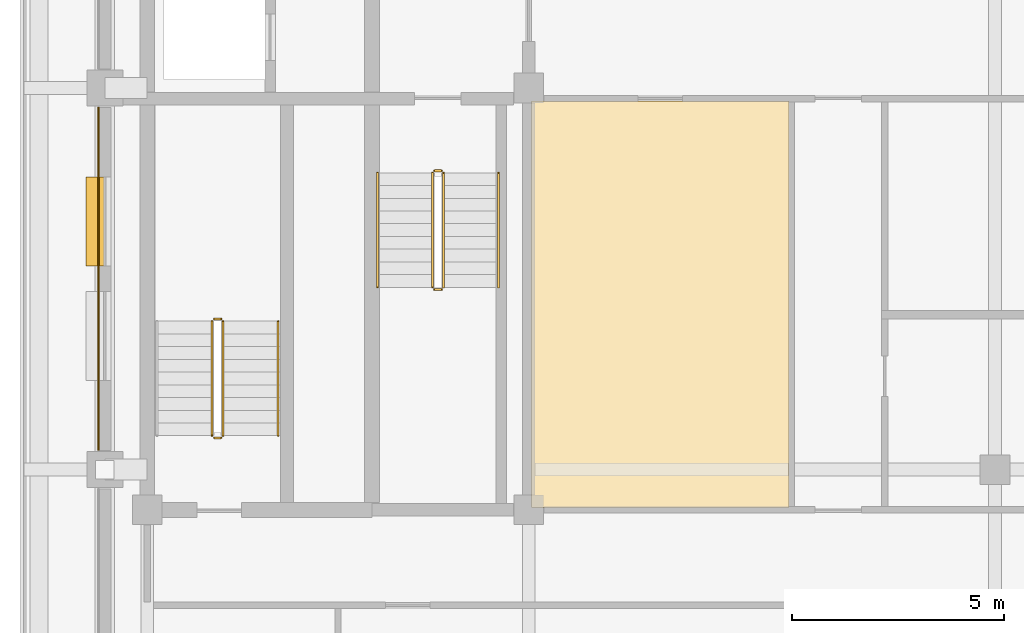
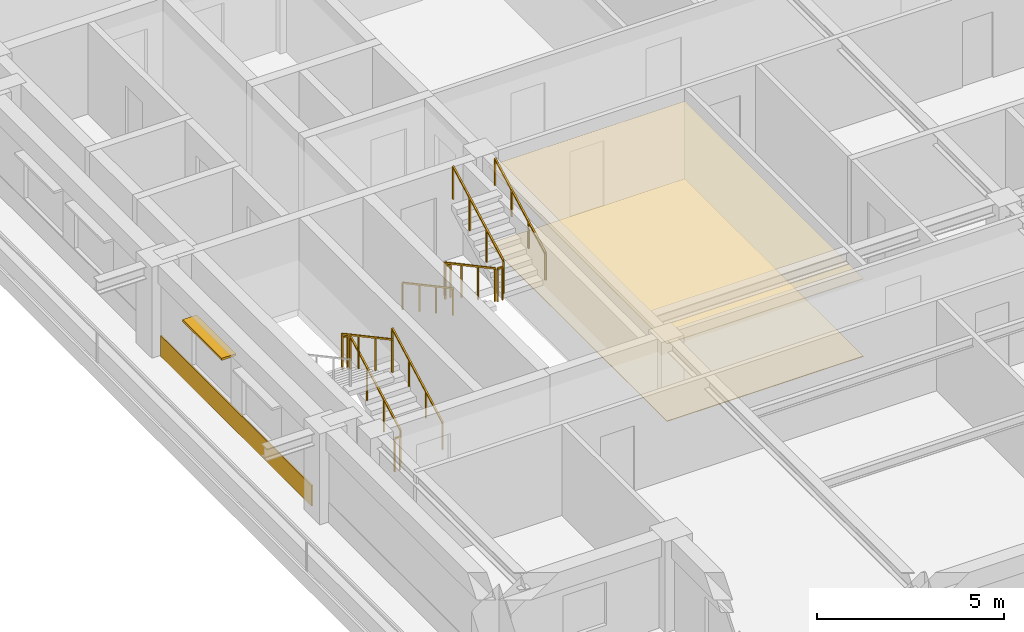
# One storey, part 8 of 11: 11 railings, 3 coverings, 1 shading device.
"""IFC4 building model written with IfcOpenShell, lengths in metres."""

from ifc_helpers import new_model, si_unit, direction, frame, frame_2d, origin, origin_2d, place, context, subcontext, project, spatial, polyline, rectangle, outline, extrude, material, layer, layer_set, type_object, element, save


model = new_model("IFC4")

# Units and contexts
model_context = context("Model", 3, precision=1e-05, world=origin(), true_north=direction((0.0, 1.0)))
body_context = subcontext(model_context, "Body", "Model", "MODEL_VIEW")
ifc_project = project(units=[si_unit("LENGTHUNIT", "METRE"), si_unit("AREAUNIT", "SQUARE_METRE"), si_unit("VOLUMEUNIT", "CUBIC_METRE"), si_unit("PLANEANGLEUNIT", "RADIAN"), si_unit("MASSUNIT", "GRAM", prefix="KILO")], contexts=[model_context])

# Site, building, storey
site_placement = place(None, origin())
site = spatial("IfcSite", under=ifc_project, at=site_placement, CompositionType="ELEMENT")
building_placement = place(site_placement, origin())
building = spatial("IfcBuilding", under=site, at=building_placement, Name="Zulmaris Gate Convention Tower", CompositionType="ELEMENT")
storey_placement = place(building_placement, frame((0.0, 0.0, 236.510009765625)))
storey = spatial("IfcBuildingStorey", under=building, at=storey_placement, Name="L62", CompositionType="ELEMENT", Elevation=236.510009765625)

# Coverings
ifc_material_1 = material(Name="Precast concrete C40/50", Category="concrete")
ifc_layer_1 = layer(ifc_material_1, 0.0400390625, Name="Precast concrete C40/50")
ifc_layer_set_1 = layer_set([ifc_layer_1], Name="Precast concrete C40/50")
covering_type_1 = type_object("IfcCoveringType", Name="CLAD-SPANDREL-PRECAST", PredefinedType="CLADDING", material=ifc_layer_set_1)
covering_1_placement = place(storey_placement, frame((-21.14990234375, -0.455078125, 0.0), z_axis=(0.0, 0.0, 1.0), x_axis=(0.0, -1.0, 0.0)))
element("IfcCovering", 1, at=covering_1_placement, inside=storey, type_object=covering_type_1, Name="CLD-L62-W-1_0", PredefinedType="CLADDING", context=body_context, shape_type="SweptSolid", body=[
    extrude(rectangle(XDim=8.08984375, YDim=0.0400390625, at=frame_2d((4.044921875, 0.0))), origin(), (0.0, 0.0, 1.0), 0.679931640625),
])
ifc_material_2 = material(Name="Mineral Fibre Acoustic Ceiling Tile")
ifc_layer_2 = layer(ifc_material_2, 0.02001953125, Name="Mineral Fibre Acoustic Ceiling Tile")
ifc_layer_set_2 = layer_set([ifc_layer_2], Name="Mineral Fibre Acoustic Ceiling Tile")
covering_type_2 = type_object("IfcCoveringType", Name="CLG-ACOUSTIC-600", PredefinedType="CEILING", material=ifc_layer_set_2)
covering_2_placement = place(storey_placement, frame((0.0, 0.0, 2.5380859375)))
element("IfcCovering", 2, at=covering_2_placement, inside=storey, type_object=covering_type_2, Name="CLG-L62-R38", PredefinedType="CEILING", context=body_context, shape_type="SweptSolid", body=[
    extrude(outline(polyline([(-10.93994140625, -9.889892578125), (-4.860107421875, -9.889892578125), (-4.860107421875, -0.31005859375), (-10.93994140625, -0.31005859375), (-10.93994140625, -9.889892578125)])), origin(), (0.0, 0.0, 1.0), 0.02001953125),
])
ifc_material_3 = material(Name="Woven Acoustic Wool Carpet Tile")
ifc_layer_3 = layer(ifc_material_3, 0.02001953125, Name="Woven Acoustic Wool Carpet Tile")
ifc_layer_set_3 = layer_set([ifc_layer_3], Name="Woven Acoustic Wool Carpet Tile")
covering_type_3 = type_object("IfcCoveringType", Name="FLR-CARPET-12", PredefinedType="FLOORING", material=ifc_layer_set_3)
covering_3_placement = place(storey_placement, origin())
element("IfcCovering", 3, at=covering_3_placement, inside=storey, type_object=covering_type_3, Name="FLR-L62-R38", PredefinedType="FLOORING", context=body_context, shape_type="SweptSolid", body=[
    extrude(outline(polyline([(-10.93994140625, -9.889892578125), (-4.860107421875, -9.889892578125), (-4.860107421875, -0.31005859375), (-10.93994140625, -0.31005859375), (-10.93994140625, -9.889892578125)])), origin(), (0.0, 0.0, 1.0), 0.02001953125),
])

# Railings
ifc_material_4 = material(Name="Painted Galvanised Steel", Category="steel")
railing_type_1 = type_object("IfcRailingType", Name="RL-STG-1150", PredefinedType="GUARDRAIL", material=ifc_material_4)
railing_1_placement = place(storey_placement, frame((-13.27001953125, -2.0, 0.161376953125)))
element("IfcRailing", 4, at=railing_1_placement, inside=storey, type_object=railing_type_1, Name="L62 ST-1 stair guard 1", PredefinedType="GUARDRAIL", context=body_context, shape_type="SweptSolid", body=[
    extrude(rectangle(XDim=0.048095703125, YDim=0.048095703125, at=origin_2d()), frame((0.0, 0.0, 1.076171875), z_axis=(0.0, -0.880499220447, 0.474047595492), x_axis=(1.0, 0.0, 0.0)), (0.0, 0.0, 1.0), 3.06640625),
    extrude(rectangle(XDim=0.0419921875, YDim=0.0419921875, at=origin_2d()), origin(), (0.0, 0.0, 1.0), 1.052001953125),
    extrude(rectangle(XDim=0.0419921875, YDim=0.0419921875, at=origin_2d()), frame((0.0, -0.89990234375, 0.484619140625)), (0.0, 0.0, 1.0), 1.052001953125),
    extrude(rectangle(XDim=0.0419921875, YDim=0.0419921875, at=origin_2d()), frame((0.0, -1.800048828125, 0.968994140625)), (0.0, 0.0, 1.0), 1.052001953125),
    extrude(rectangle(XDim=0.0419921875, YDim=0.0419921875, at=origin_2d()), frame((0.0, -2.699951171875, 1.45361328125)), (0.0, 0.0, 1.0), 1.052001953125),
])
railing_2_placement = place(storey_placement, frame((-13.219970703125, -4.75, 1.614990234375)))
element("IfcRailing", 5, at=railing_2_placement, inside=storey, type_object=railing_type_1, Name="L62 ST-1 stair guard 2", PredefinedType="GUARDRAIL", context=body_context, shape_type="SweptSolid", body=[
    extrude(rectangle(XDim=0.048095703125, YDim=0.048095703125, at=origin_2d()), frame((0.0, 0.0, 1.076171875), z_axis=(1.0, 0.0, 0.0), x_axis=(0.0, 1.0, 0.0)), (0.0, 0.0, 1.0), 0.159912109375),
    extrude(rectangle(XDim=0.0419921875, YDim=0.0419921875, at=origin_2d()), origin(), (0.0, 0.0, 1.0), 1.052001953125),
    extrude(rectangle(XDim=0.0419921875, YDim=0.0419921875, at=origin_2d()), frame((0.159912109375, 0.0, 0.0)), (0.0, 0.0, 1.0), 1.052001953125),
])
railing_3_placement = place(storey_placement, frame((-13.010009765625, -4.699951171875, 1.776611328125)))
element("IfcRailing", 6, at=railing_3_placement, inside=storey, type_object=railing_type_1, Name="L62 ST-1 stair guard 3", PredefinedType="GUARDRAIL", context=body_context, shape_type="SweptSolid", body=[
    extrude(rectangle(XDim=0.048095703125, YDim=0.048095703125, at=origin_2d()), frame((0.0, 0.0, 1.076171875), z_axis=(0.0, 0.880532452117, 0.47398586558), x_axis=(-1.0, 0.0, 0.0)), (0.0, 0.0, 1.0), 3.066162109375),
    extrude(rectangle(XDim=0.0419921875, YDim=0.0419921875, at=origin_2d()), origin(), (0.0, 0.0, 1.0), 1.052001953125),
    extrude(rectangle(XDim=0.0419921875, YDim=0.0419921875, at=origin_2d()), frame((0.0, 0.89990234375, 0.484375)), (0.0, 0.0, 1.0), 1.052001953125),
    extrude(rectangle(XDim=0.0419921875, YDim=0.0419921875, at=origin_2d()), frame((0.0, 1.800048828125, 0.968994140625)), (0.0, 0.0, 1.0), 1.052001953125),
    extrude(rectangle(XDim=0.0419921875, YDim=0.0419921875, at=origin_2d()), frame((0.0, 2.699951171875, 1.453369140625)), (0.0, 0.0, 1.0), 1.052001953125),
])
railing_4_placement = place(storey_placement, frame((-13.219970703125, -1.949951171875, 0.0)))
element("IfcRailing", 7, at=railing_4_placement, inside=storey, type_object=railing_type_1, Name="L62 ST-1 stair guard 4", PredefinedType="GUARDRAIL", context=body_context, shape_type="SweptSolid", body=[
    extrude(rectangle(XDim=0.048095703125, YDim=0.048095703125, at=origin_2d()), frame((0.0, 0.0, 1.076171875), z_axis=(1.0, 0.0, 0.0), x_axis=(0.0, 1.0, 0.0)), (0.0, 0.0, 1.0), 0.159912109375),
    extrude(rectangle(XDim=0.0419921875, YDim=0.0419921875, at=origin_2d()), origin(), (0.0, 0.0, 1.0), 1.052001953125),
    extrude(rectangle(XDim=0.0419921875, YDim=0.0419921875, at=origin_2d()), frame((0.159912109375, 0.0, 0.0)), (0.0, 0.0, 1.0), 1.052001953125),
])
railing_5_placement = place(storey_placement, frame((-18.2099609375, -8.199951171875, 0.161376953125)))
element("IfcRailing", 8, at=railing_5_placement, inside=storey, type_object=railing_type_1, Name="L62 ST-3 stair guard 1", PredefinedType="GUARDRAIL", context=body_context, shape_type="SweptSolid", body=[
    extrude(rectangle(XDim=0.048095703125, YDim=0.048095703125, at=origin_2d()), frame((0.0, 0.0, 1.076171875), z_axis=(0.0, 0.880499220447, 0.474047595492), x_axis=(-1.0, 0.0, 0.0)), (0.0, 0.0, 1.0), 3.06640625),
    extrude(rectangle(XDim=0.0419921875, YDim=0.0419921875, at=origin_2d()), origin(), (0.0, 0.0, 1.0), 1.052001953125),
    extrude(rectangle(XDim=0.0419921875, YDim=0.0419921875, at=origin_2d()), frame((0.0, 0.89990234375, 0.484619140625)), (0.0, 0.0, 1.0), 1.052001953125),
    extrude(rectangle(XDim=0.0419921875, YDim=0.0419921875, at=origin_2d()), frame((0.0, 1.800048828125, 0.968994140625)), (0.0, 0.0, 1.0), 1.052001953125),
    extrude(rectangle(XDim=0.0419921875, YDim=0.0419921875, at=origin_2d()), frame((0.0, 2.699951171875, 1.45361328125)), (0.0, 0.0, 1.0), 1.052001953125),
])
railing_6_placement = place(storey_placement, frame((-18.260009765625, -5.449951171875, 1.614990234375)))
element("IfcRailing", 9, at=railing_6_placement, inside=storey, type_object=railing_type_1, Name="L62 ST-3 stair guard 2", PredefinedType="GUARDRAIL", context=body_context, shape_type="SweptSolid", body=[
    extrude(rectangle(XDim=0.048095703125, YDim=0.048095703125, at=origin_2d()), frame((0.0, 0.0, 1.076171875), z_axis=(-1.0, 0.0, 0.0), x_axis=(0.0, -1.0, 0.0)), (0.0, 0.0, 1.0), 0.159912109375),
    extrude(rectangle(XDim=0.0419921875, YDim=0.0419921875, at=origin_2d()), origin(), (0.0, 0.0, 1.0), 1.052001953125),
    extrude(rectangle(XDim=0.0419921875, YDim=0.0419921875, at=origin_2d()), frame((-0.159912109375, 0.0, 0.0)), (0.0, 0.0, 1.0), 1.052001953125),
])
railing_7_placement = place(storey_placement, frame((-18.469970703125, -5.5, 1.776611328125)))
element("IfcRailing", 10, at=railing_7_placement, inside=storey, type_object=railing_type_1, Name="L62 ST-3 stair guard 3", PredefinedType="GUARDRAIL", context=body_context, shape_type="SweptSolid", body=[
    extrude(rectangle(XDim=0.048095703125, YDim=0.048095703125, at=origin_2d()), frame((0.0, 0.0, 1.076171875), z_axis=(0.0, -0.880532452117, 0.47398586558), x_axis=(1.0, 0.0, 0.0)), (0.0, 0.0, 1.0), 3.066162109375),
    extrude(rectangle(XDim=0.0419921875, YDim=0.0419921875, at=origin_2d()), origin(), (0.0, 0.0, 1.0), 1.052001953125),
    extrude(rectangle(XDim=0.0419921875, YDim=0.0419921875, at=origin_2d()), frame((0.0, -0.89990234375, 0.484375)), (0.0, 0.0, 1.0), 1.052001953125),
    extrude(rectangle(XDim=0.0419921875, YDim=0.0419921875, at=origin_2d()), frame((0.0, -1.800048828125, 0.968994140625)), (0.0, 0.0, 1.0), 1.052001953125),
    extrude(rectangle(XDim=0.0419921875, YDim=0.0419921875, at=origin_2d()), frame((0.0, -2.699951171875, 1.453369140625)), (0.0, 0.0, 1.0), 1.052001953125),
])
railing_8_placement = place(storey_placement, frame((-18.260009765625, -8.25, 0.0)))
element("IfcRailing", 11, at=railing_8_placement, inside=storey, type_object=railing_type_1, Name="L62 ST-3 stair guard 4", PredefinedType="GUARDRAIL", context=body_context, shape_type="SweptSolid", body=[
    extrude(rectangle(XDim=0.048095703125, YDim=0.048095703125, at=origin_2d()), frame((0.0, 0.0, 1.076171875), z_axis=(-1.0, 0.0, 0.0), x_axis=(0.0, -1.0, 0.0)), (0.0, 0.0, 1.0), 0.159912109375),
    extrude(rectangle(XDim=0.0419921875, YDim=0.0419921875, at=origin_2d()), origin(), (0.0, 0.0, 1.0), 1.052001953125),
    extrude(rectangle(XDim=0.0419921875, YDim=0.0419921875, at=origin_2d()), frame((-0.159912109375, 0.0, 0.0)), (0.0, 0.0, 1.0), 1.052001953125),
])
ifc_material_5 = material(Name="Brushed Stainless Steel", Category="steel")
railing_type_2 = type_object("IfcRailingType", Name="RL-STH-900", PredefinedType="HANDRAIL", material=ifc_material_5)
railing_9_placement = place(storey_placement, frame((-14.570068359375, -2.0, 0.161376953125)))
element("IfcRailing", 12, at=railing_9_placement, inside=storey, type_object=railing_type_2, Name="L62 ST-1 stair handrail 1", PredefinedType="HANDRAIL", context=body_context, shape_type="SweptSolid", body=[
    extrude(rectangle(XDim=0.048095703125, YDim=0.048095703125, at=origin_2d()), frame((0.0, 0.0, 0.8759765625), z_axis=(0.0, -0.880499220447, 0.474047595492), x_axis=(1.0, 0.0, 0.0)), (0.0, 0.0, 1.0), 3.06640625),
    extrude(rectangle(XDim=0.0419921875, YDim=0.0419921875, at=origin_2d()), origin(), (0.0, 0.0, 1.0), 0.851806640625),
    extrude(rectangle(XDim=0.0419921875, YDim=0.0419921875, at=origin_2d()), frame((0.0, -0.89990234375, 0.484619140625)), (0.0, 0.0, 1.0), 0.851806640625),
    extrude(rectangle(XDim=0.0419921875, YDim=0.0419921875, at=origin_2d()), frame((0.0, -1.800048828125, 0.968994140625)), (0.0, 0.0, 1.0), 0.851806640625),
    extrude(rectangle(XDim=0.0419921875, YDim=0.0419921875, at=origin_2d()), frame((0.0, -2.699951171875, 1.45361328125)), (0.0, 0.0, 1.0), 0.851806640625),
])
railing_10_placement = place(storey_placement, frame((-11.7099609375, -4.699951171875, 1.776611328125)))
element("IfcRailing", 13, at=railing_10_placement, inside=storey, type_object=railing_type_2, Name="L62 ST-1 stair handrail 2", PredefinedType="HANDRAIL", context=body_context, shape_type="SweptSolid", body=[
    extrude(rectangle(XDim=0.048095703125, YDim=0.048095703125, at=origin_2d()), frame((0.0, 0.0, 0.8759765625), z_axis=(0.0, 0.880532452117, 0.47398586558), x_axis=(-1.0, 0.0, 0.0)), (0.0, 0.0, 1.0), 3.066162109375),
    extrude(rectangle(XDim=0.0419921875, YDim=0.0419921875, at=origin_2d()), origin(), (0.0, 0.0, 1.0), 0.851806640625),
    extrude(rectangle(XDim=0.0419921875, YDim=0.0419921875, at=origin_2d()), frame((0.0, 0.89990234375, 0.484375)), (0.0, 0.0, 1.0), 0.851806640625),
    extrude(rectangle(XDim=0.0419921875, YDim=0.0419921875, at=origin_2d()), frame((0.0, 1.800048828125, 0.968994140625)), (0.0, 0.0, 1.0), 0.851806640625),
    extrude(rectangle(XDim=0.0419921875, YDim=0.0419921875, at=origin_2d()), frame((0.0, 2.699951171875, 1.453369140625)), (0.0, 0.0, 1.0), 0.851806640625),
])
railing_11_placement = place(storey_placement, frame((-16.909912109375, -8.199951171875, 0.161376953125)))
element("IfcRailing", 14, at=railing_11_placement, inside=storey, type_object=railing_type_2, Name="L62 ST-3 stair handrail 1", PredefinedType="HANDRAIL", context=body_context, shape_type="SweptSolid", body=[
    extrude(rectangle(XDim=0.048095703125, YDim=0.048095703125, at=origin_2d()), frame((0.0, 0.0, 0.8759765625), z_axis=(0.0, 0.880499220447, 0.474047595492), x_axis=(-1.0, 0.0, 0.0)), (0.0, 0.0, 1.0), 3.06640625),
    extrude(rectangle(XDim=0.0419921875, YDim=0.0419921875, at=origin_2d()), origin(), (0.0, 0.0, 1.0), 0.851806640625),
    extrude(rectangle(XDim=0.0419921875, YDim=0.0419921875, at=origin_2d()), frame((0.0, 0.89990234375, 0.484619140625)), (0.0, 0.0, 1.0), 0.851806640625),
    extrude(rectangle(XDim=0.0419921875, YDim=0.0419921875, at=origin_2d()), frame((0.0, 1.800048828125, 0.968994140625)), (0.0, 0.0, 1.0), 0.851806640625),
    extrude(rectangle(XDim=0.0419921875, YDim=0.0419921875, at=origin_2d()), frame((0.0, 2.699951171875, 1.45361328125)), (0.0, 0.0, 1.0), 0.851806640625),
])

# Shading device
ifc_material_6 = material(Name="Glazed Ceramic Terracotta", Category="masonry")
ifc_layer_4 = layer(ifc_material_6, 0.070068359375, Name="Glazed Ceramic Terracotta")
ifc_layer_set_4 = layer_set([ifc_layer_4], Name="Glazed Ceramic Terracotta")
shading_device_type = type_object("IfcShadingDeviceType", Name="SHD-SUNSHADE-TC", PredefinedType="AWNING", material=ifc_layer_set_4)
shading_device_placement = place(storey_placement, frame((-21.219970703125, -2.10205078125, 2.22998046875), z_axis=(0.0, 0.0, 1.0), x_axis=(0.0, -1.0, 0.0)))
element("IfcShadingDevice", 15, at=shading_device_placement, inside=storey, type_object=shading_device_type, Name="SHD-EW-L62-W-1_0-1", PredefinedType="AWNING", context=body_context, shape_type="SweptSolid", body=[
    extrude(rectangle(XDim=2.099853515625, YDim=0.43994140625, at=frame_2d((1.0498046875, 0.0))), origin(), (0.0, 0.0, 1.0), 0.070068359375),
])

save(model, "model.ifc")
